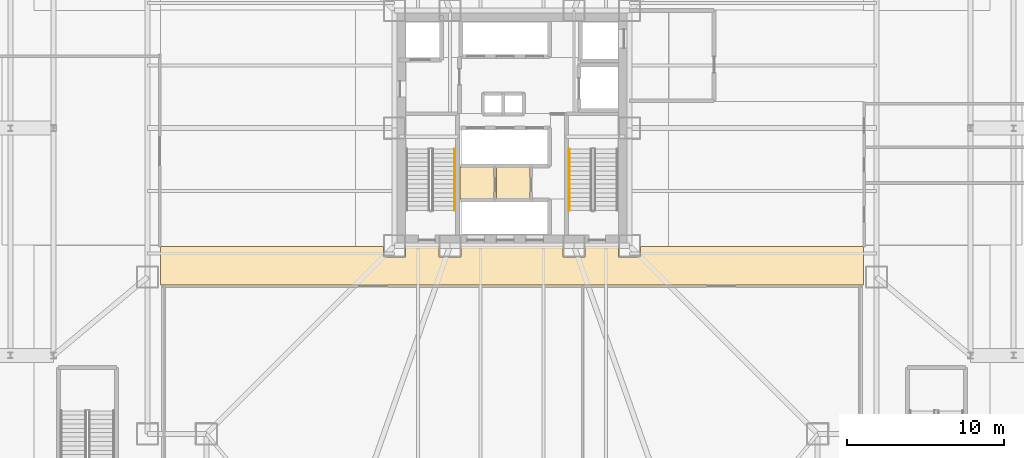
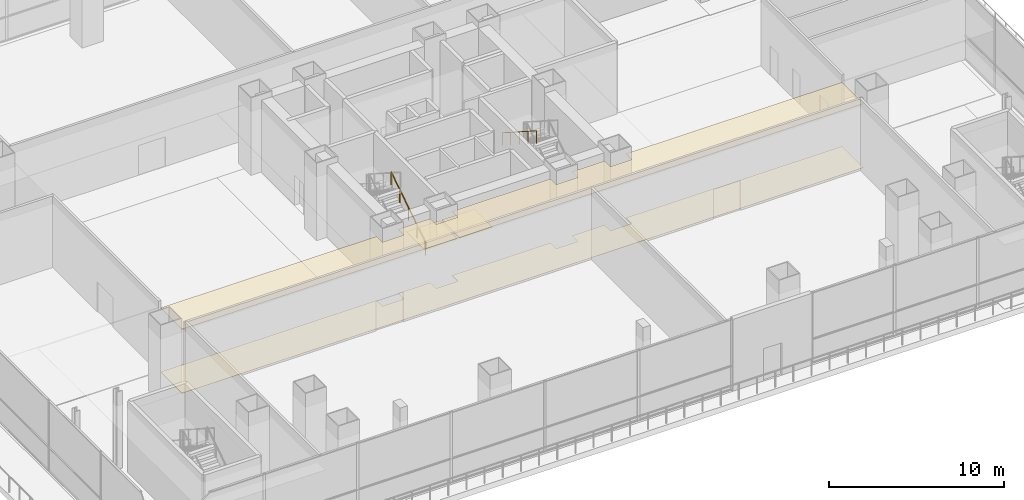
# One storey, part 30 of 36: 4 coverings, 2 railings.
"""IFC4 building model written with IfcOpenShell, lengths in metres."""

from ifc_helpers import new_model, si_unit, direction, frame, origin, origin_2d, place, context, subcontext, project, spatial, polyline, circle, outline, extrude, material, layer, layer_set, type_object, element, save


model = new_model("IFC4")

# Units and contexts
model_context = context("Model", 3, precision=1e-05, world=origin(), true_north=direction((0.0, 1.0)))
body_context = subcontext(model_context, "Body", "Model", "MODEL_VIEW")
ifc_project = project(units=[si_unit("LENGTHUNIT", "METRE"), si_unit("AREAUNIT", "SQUARE_METRE"), si_unit("VOLUMEUNIT", "CUBIC_METRE"), si_unit("PLANEANGLEUNIT", "RADIAN"), si_unit("MASSUNIT", "GRAM", prefix="KILO")], contexts=[model_context])

# Site, building, storey
site_placement = place(None, origin())
site = spatial("IfcSite", under=ifc_project, at=site_placement, CompositionType="ELEMENT")
building_placement = place(site_placement, origin())
building = spatial("IfcBuilding", under=site, at=building_placement, Name="Trevonay Congress Spire", CompositionType="ELEMENT")
storey_placement = place(building_placement, frame((0.0, 0.0, 16.199951171875)))
storey = spatial("IfcBuildingStorey", under=building, at=storey_placement, Name="L03", CompositionType="ELEMENT", Elevation=16.199951171875)

# Coverings
ifc_material_1 = material(Name="Acoustic Mineral Fibre Board", Category="gypsum")
ifc_layer_1 = layer(ifc_material_1, 0.02490234375, Name="Acoustic Mineral Fibre Board")
ifc_layer_set_1 = layer_set([ifc_layer_1], Name="Acoustic Mineral Fibre Board")
covering_type_1 = type_object("IfcCoveringType", Name="COV-CEIL-ACOUSTIC", PredefinedType="CEILING", material=ifc_layer_set_1)
covering_1_placement = place(storey_placement, frame((0.0, 0.0, 4.449951171875)))
element("IfcCovering", 1, at=covering_1_placement, inside=storey, type_object=covering_type_1, Name="L03 L03 Grand Concourse South acoustic suspended ceiling", PredefinedType="CEILING", context=body_context, shape_type="SweptSolid", body=[
    extrude(outline(polyline([(22.419921875, -7.550048828125), (22.419921875, -10.0), (-22.419921875, -10.0), (-22.419921875, -7.550048828125), (-8.2099609375, -7.550048828125), (-8.2099609375, -8.2099609375), (-6.7900390625, -8.2099609375), (-6.7900390625, -7.550048828125), (-4.659912109375, -7.550048828125), (-4.659912109375, -8.2099609375), (-3.239990234375, -8.2099609375), (-3.239990234375, -7.550048828125), (3.239990234375, -7.550048828125), (3.239990234375, -8.2099609375), (4.659912109375, -8.2099609375), (4.659912109375, -7.550048828125), (6.7900390625, -7.550048828125), (6.7900390625, -8.2099609375), (8.2099609375, -8.2099609375), (8.2099609375, -7.550048828125), (22.419921875, -7.550048828125)])), origin(), (0.0, 0.0, 1.0), 0.025146484375),
])
ifc_material_2 = material(Name="Polished Granite Floor Tile", Category="masonry")
ifc_layer_2 = layer(ifc_material_2, 0.02001953125, Name="Polished Granite Floor Tile")
ifc_layer_set_2 = layer_set([ifc_layer_2], Name="Polished Granite Floor Tile")
covering_type_2 = type_object("IfcCoveringType", Name="COV-FLOOR-STONE", PredefinedType="FLOORING", material=ifc_layer_set_2)
covering_2_placement = place(storey_placement, origin())
element("IfcCovering", 2, at=covering_2_placement, inside=storey, type_object=covering_type_2, Name="L03 Floor IT Patch Room floor finish", PredefinedType="FLOORING", context=body_context, shape_type="SweptSolid", body=[
    extrude(outline(polyline([(-3.320068359375, -4.52001953125), (-1.14990234375, -4.52001953125), (-1.14990234375, -2.47998046875), (-3.320068359375, -2.47998046875), (-3.320068359375, -4.52001953125)])), origin(), (0.0, 0.0, 1.0), 0.02001953125),
])
covering_3_placement = place(storey_placement, origin())
element("IfcCovering", 3, at=covering_3_placement, inside=storey, type_object=covering_type_2, Name="L03 Janitor Store floor finish", PredefinedType="FLOORING", context=body_context, shape_type="SweptSolid", body=[
    extrude(outline(polyline([(-1.0, -4.52001953125), (1.14990234375, -4.52001953125), (1.14990234375, -2.47998046875), (-1.0, -2.47998046875), (-1.0, -4.52001953125)])), origin(), (0.0, 0.0, 1.0), 0.02001953125),
])
covering_4_placement = place(storey_placement, origin())
element("IfcCovering", 4, at=covering_4_placement, inside=storey, type_object=covering_type_2, Name="L03 L03 Grand Concourse South floor finish", PredefinedType="FLOORING", context=body_context, shape_type="SweptSolid", body=[
    extrude(outline(polyline([(22.419921875, -7.550048828125), (22.419921875, -10.0), (-22.419921875, -10.0), (-22.419921875, -7.550048828125), (-8.2099609375, -7.550048828125), (-8.2099609375, -8.2099609375), (-6.7900390625, -8.2099609375), (-6.7900390625, -7.550048828125), (-4.659912109375, -7.550048828125), (-4.659912109375, -8.2099609375), (-3.239990234375, -8.2099609375), (-3.239990234375, -7.550048828125), (3.239990234375, -7.550048828125), (3.239990234375, -8.2099609375), (4.659912109375, -8.2099609375), (4.659912109375, -7.550048828125), (6.7900390625, -7.550048828125), (6.7900390625, -8.2099609375), (8.2099609375, -8.2099609375), (8.2099609375, -7.550048828125), (22.419921875, -7.550048828125)])), origin(), (0.0, 0.0, 1.0), 0.02001953125),
])

# Railings
ifc_material_3 = material(Name="Pale Anodised Aluminium EN AW-6063-T6", Category="aluminium")
railing_type = type_object("IfcRailingType", Name="RAL-STAIR-HANDRAIL", PredefinedType="HANDRAIL", material=ifc_material_3)
railing_1_placement = place(storey_placement, frame((-3.64990234375, -5.25, 0.179931640625)))
element("IfcRailing", 5, at=railing_1_placement, inside=storey, type_object=railing_type, Name="L03 ST-1 stair handrail 1", PredefinedType="HANDRAIL", context=body_context, shape_type="SweptSolid", body=[
    extrude(circle(Radius=0.02392578125, at=origin_2d()), frame((0.0, 0.0, 0.8759765625), z_axis=(0.0, 0.841171666519, 0.540768182723), x_axis=(-1.0, 0.0, 0.0)), (0.0, 0.0, 1.0), 4.66015625),
    extrude(circle(Radius=0.02099609375, at=origin_2d()), origin(), (0.0, 0.0, 1.0), 0.851806640625),
    extrude(circle(Radius=0.02099609375, at=origin_2d()), frame((0.0, 0.97998046875, 0.6298828125)), (0.0, 0.0, 1.0), 0.851806640625),
    extrude(circle(Radius=0.02099609375, at=origin_2d()), frame((0.0, 1.9599609375, 1.260009765625)), (0.0, 0.0, 1.0), 0.851806640625),
    extrude(circle(Radius=0.02099609375, at=origin_2d()), frame((0.0, 2.93994140625, 1.89013671875)), (0.0, 0.0, 1.0), 0.851806640625),
    extrude(circle(Radius=0.02099609375, at=origin_2d()), frame((0.0, 3.919921875, 2.52001953125)), (0.0, 0.0, 1.0), 0.851806640625),
])
railing_2_placement = place(storey_placement, frame((3.64990234375, -1.330078125, 2.880126953125)))
element("IfcRailing", 6, at=railing_2_placement, inside=storey, type_object=railing_type, Name="L03 ST-2 stair handrail 2", PredefinedType="HANDRAIL", context=body_context, shape_type="SweptSolid", body=[
    extrude(circle(Radius=0.02392578125, at=origin_2d()), frame((0.0, 0.0, 0.8759765625), z_axis=(0.0, -0.841171666519, 0.540768182723), x_axis=(1.0, 0.0, 0.0)), (0.0, 0.0, 1.0), 4.66015625),
    extrude(circle(Radius=0.02099609375, at=origin_2d()), origin(), (0.0, 0.0, 1.0), 0.851806640625),
    extrude(circle(Radius=0.02099609375, at=origin_2d()), frame((0.0, -0.97998046875, 0.6298828125)), (0.0, 0.0, 1.0), 0.851806640625),
    extrude(circle(Radius=0.02099609375, at=origin_2d()), frame((0.0, -1.9599609375, 1.260009765625)), (0.0, 0.0, 1.0), 0.851806640625),
    extrude(circle(Radius=0.02099609375, at=origin_2d()), frame((0.0, -2.93994140625, 1.89013671875)), (0.0, 0.0, 1.0), 0.851806640625),
    extrude(circle(Radius=0.02099609375, at=origin_2d()), frame((0.0, -3.919921875, 2.52001953125)), (0.0, 0.0, 1.0), 0.851806640625),
])

save(model, "model.ifc")
